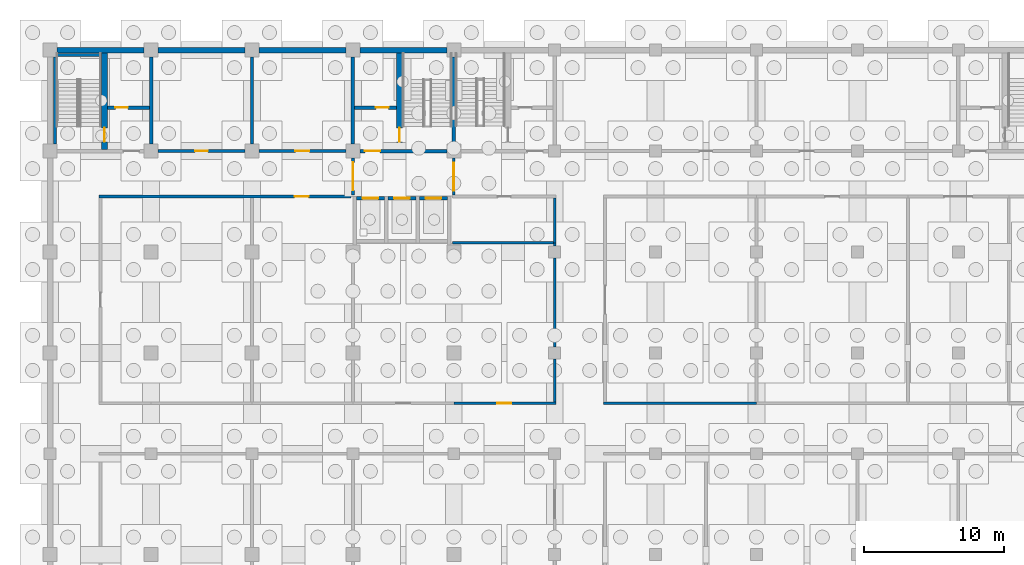
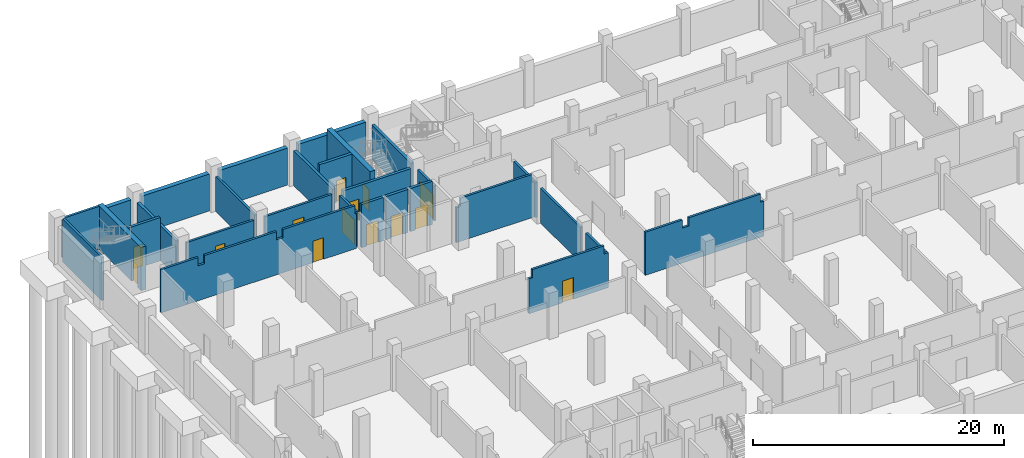
# One storey, part 10 of 19: 30 walls, 14 doors, 14 openings.
"""IFC4 building model written with IfcOpenShell, lengths in metres."""

from ifc_helpers import new_model, si_unit, direction, frame, frame_2d, origin, place, context, subcontext, project, spatial, polyline, rectangle, outline, extrude, material, layer, layer_set, type_object, element, fill, save


model = new_model("IFC4")

# Units and contexts
model_context = context("Model", 3, precision=1e-05, world=origin(), true_north=direction((0.0, 1.0)))
body_context = subcontext(model_context, "Body", "Model", "MODEL_VIEW")
ifc_project = project(units=[si_unit("LENGTHUNIT", "METRE"), si_unit("AREAUNIT", "SQUARE_METRE"), si_unit("VOLUMEUNIT", "CUBIC_METRE"), si_unit("PLANEANGLEUNIT", "RADIAN"), si_unit("MASSUNIT", "GRAM", prefix="KILO")], contexts=[model_context])

# Site, building, storey
site_placement = place(None, origin())
site = spatial("IfcSite", under=ifc_project, at=site_placement, CompositionType="ELEMENT")
building_placement = place(site_placement, origin())
building = spatial("IfcBuilding", under=site, at=building_placement, Name="Silangan Lancet Faculty of Sciences", CompositionType="ELEMENT")
storey_placement = place(building_placement, frame((0.0, 0.0, -4.5)))
storey = spatial("IfcBuildingStorey", under=building, at=storey_placement, Name="B1", CompositionType="ELEMENT", Elevation=-4.5)

# Wall, opening, door
ifc_material_1 = material(Name="Hollow block masonry fm 7 MPa", Category="masonry")
ifc_layer_1 = layer(ifc_material_1, 0.199951171875)
ifc_layer_set_1 = layer_set([ifc_layer_1], Name="Hollow block masonry fm 7 MPa")
wall_type_1 = type_object("IfcWallType", Name="Interior wall PW1 Corridor wall CHB 200", PredefinedType="PARTITIONING", material=ifc_layer_set_1)
wall_1_placement = place(storey_placement, frame((28.800048828125, 32.39990234375, 0.0), z_axis=(0.0, 0.0, 1.0), x_axis=(1.0, 0.0, 0.0)))
wall_1 = element("IfcWall", 1, at=wall_1_placement, inside=storey, type_object=wall_type_1, Name="Corridor wall CHB 200", PredefinedType="PARTITIONING", context=body_context, shape_type="SweptSolid", body=[
    extrude(outline(polyline([(0.0, 0.0), (7.300048828125, 0.0), (7.300048828125, 3.39990234375), (6.89990234375, 3.39990234375), (6.89990234375, 4.199951171875), (0.300048828125, 4.199951171875), (0.300048828125, 3.39990234375), (0.0, 3.39990234375), (0.0, 0.0)])), frame((0.0, 0.10009765625, 0.0), z_axis=(0.0, -1.0, 0.0), x_axis=(1.0, 0.0, 0.0)), (0.0, 0.0, 1.0), 0.199951171875),
])
opening_1_placement = place(wall_1_placement, frame((3.10009765625, 0.0, 0.0)))
opening_1 = element("IfcOpeningElement", 2, at=opening_1_placement, cuts=wall_1, Name="Opening B1-025", PredefinedType="OPENING", context=body_context, shape_type="SweptSolid", body=[
    extrude(rectangle(XDim=1.0, YDim=2.10009765625, at=frame_2d((0.5, 1.050048828125))), frame((0.0, 0.10986328125, 0.0), z_axis=(0.0, -1.0, 0.0), x_axis=(1.0, 0.0, 0.0)), (0.0, 0.0, 1.0), 0.219970703125),
])
ifc_material_2 = material(Name="Steel fire door set", Category="steel")
door_type_1 = type_object("IfcDoorType", Name="Door D1 Single leaf fire door 1000 x 2100", OperationType="SINGLE_SWING_LEFT", PredefinedType="DOOR", material=ifc_material_2)
door_1_placement = place(opening_1_placement, origin())
door_1 = element("IfcDoor", 3, at=door_1_placement, inside=storey, type_object=door_type_1, Name="Single leaf fire door 1000 x 2100", OperationType="SINGLE_SWING_LEFT", OverallHeight=2.10009765625, OverallWidth=1.0, PredefinedType="DOOR", context=body_context, shape_type="SweptSolid", body=[
    extrude(rectangle(XDim=1.0, YDim=2.10009765625, at=frame_2d((0.5, 1.050048828125))), frame((0.0, 0.02490234375, 0.0), z_axis=(0.0, -1.0, 0.0), x_axis=(1.0, 0.0, 0.0)), (0.0, 0.0, 1.0), 0.050048828125),
])
fill(opening_1, door_1)

wall_2_placement = place(storey_placement, frame((3.5, 47.14990234375, 0.0), z_axis=(0.0, 0.0, 1.0), x_axis=(1.0, 0.0, 0.0)))
wall_2 = element("IfcWall", 4, at=wall_2_placement, inside=storey, type_object=wall_type_1, Name="Corridor wall CHB 200", PredefinedType="PARTITIONING", context=body_context, shape_type="SweptSolid", body=[
    extrude(outline(polyline([(0.0, 0.0), (17.97509765625, 0.0), (17.97509765625, 3.39990234375), (17.800048828125, 3.39990234375), (17.800048828125, 4.199951171875), (11.199951171875, 4.199951171875), (11.199951171875, 3.39990234375), (10.60009765625, 3.39990234375), (10.60009765625, 4.199951171875), (4.0, 4.199951171875), (4.0, 3.39990234375), (3.39990234375, 3.39990234375), (3.39990234375, 4.199951171875), (0.0, 4.199951171875), (0.0, 0.0)])), frame((0.0, 0.10009765625, 0.0), z_axis=(0.0, -1.0, 0.0), x_axis=(1.0, 0.0, 0.0)), (0.0, 0.0, 1.0), 0.199951171875),
])
opening_2_placement = place(wall_2_placement, frame((13.9375, 0.0, 0.0)))
opening_2 = element("IfcOpeningElement", 5, at=opening_2_placement, cuts=wall_2, Name="Opening B1-023", PredefinedType="OPENING", context=body_context, shape_type="SweptSolid", body=[
    extrude(rectangle(XDim=1.0, YDim=2.10009765625, at=frame_2d((0.5, 1.050048828125))), frame((0.0, 0.10986328125, 0.0), z_axis=(0.0, -1.0, 0.0), x_axis=(1.0, 0.0, 0.0)), (0.0, 0.0, 1.0), 0.219970703125),
])
door_2_placement = place(opening_2_placement, frame((1.0, 0.0, 0.0), z_axis=(0.0, 0.0, 1.0), x_axis=(-1.0, 0.0, 0.0)))
door_2 = element("IfcDoor", 6, at=door_2_placement, inside=storey, type_object=door_type_1, Name="Single leaf fire door 1000 x 2100", OperationType="SINGLE_SWING_RIGHT", OverallHeight=2.10009765625, OverallWidth=1.0, PredefinedType="DOOR", context=body_context, shape_type="SweptSolid", body=[
    extrude(rectangle(XDim=1.0, YDim=2.10009765625, at=frame_2d((0.5, 1.050048828125))), frame((0.0, 0.025146484375, 0.0), z_axis=(0.0, -1.0, 0.0), x_axis=(1.0, 0.0, 0.0)), (0.0, 0.0, 1.0), 0.050048828125),
])
fill(opening_2, door_2)

wall_3_placement = place(storey_placement, frame((14.89990234375, 50.39990234375, 0.0), z_axis=(0.0, 0.0, 1.0), x_axis=(1.0, 0.0, 0.0)))
wall_3 = element("IfcWall", 7, at=wall_3_placement, inside=storey, type_object=wall_type_1, Name="Corridor wall CHB 200", PredefinedType="PARTITIONING", context=body_context, shape_type="SweptSolid", body=[
    extrude(rectangle(XDim=6.2001953125, YDim=0.199951171875, at=frame_2d((3.10009765625, 0.0))), origin(), (0.0, 0.0, 1.0), 3.39990234375),
])
opening_3_placement = place(wall_3_placement, frame((2.60009765625, 0.0, 0.0)))
opening_3 = element("IfcOpeningElement", 8, at=opening_3_placement, cuts=wall_3, Name="Opening B1-040", PredefinedType="OPENING", context=body_context, shape_type="SweptSolid", body=[
    extrude(rectangle(XDim=1.0, YDim=2.10009765625, at=frame_2d((0.5, 1.050048828125))), frame((0.0, 0.10986328125, 0.0), z_axis=(0.0, -1.0, 0.0), x_axis=(1.0, 0.0, 0.0)), (0.0, 0.0, 1.0), 0.219970703125),
])
door_3_placement = place(opening_3_placement, origin())
door_3 = element("IfcDoor", 9, at=door_3_placement, inside=storey, type_object=door_type_1, Name="Single leaf fire door 1000 x 2100", OperationType="SINGLE_SWING_RIGHT", OverallHeight=2.10009765625, OverallWidth=1.0, PredefinedType="DOOR", context=body_context, shape_type="SweptSolid", body=[
    extrude(rectangle(XDim=1.0, YDim=2.10009765625, at=frame_2d((0.5, 1.050048828125))), frame((0.0, 0.02490234375, 0.0), z_axis=(0.0, -1.0, 0.0), x_axis=(1.0, 0.0, 0.0)), (0.0, 0.0, 1.0), 0.050048828125),
])
fill(opening_3, door_3)

# Walls
wall_4_placement = place(storey_placement, frame((36.0, 32.5, 0.0), z_axis=(0.0, 0.0, 1.0), x_axis=(0.0, 1.0, 0.0)))
element("IfcWall", 10, at=wall_4_placement, inside=storey, type_object=wall_type_1, Name="Corridor wall CHB 200", PredefinedType="PARTITIONING", context=body_context, shape_type="SweptSolid", body=[
    extrude(rectangle(XDim=3.074951171875, YDim=0.199951171875, at=frame_2d((1.53759765625, 0.0))), origin(), (0.0, 0.0, 1.0), 3.39990234375),
])
wall_5_placement = place(storey_placement, frame((36.0, 36.425048828125, 0.0), z_axis=(0.0, 0.0, 1.0), x_axis=(0.0, 1.0, 0.0)))
element("IfcWall", 11, at=wall_5_placement, inside=storey, type_object=wall_type_1, Name="Corridor wall CHB 200", PredefinedType="PARTITIONING", context=body_context, shape_type="SweptSolid", body=[
    extrude(rectangle(XDim=6.349853515625, YDim=0.199951171875, at=frame_2d((3.1748046875, 0.0))), origin(), (0.0, 0.0, 1.0), 3.39990234375),
])
wall_6_placement = place(storey_placement, frame((36.0, 43.625, 0.0), z_axis=(0.0, 0.0, 1.0), x_axis=(0.0, 1.0, 0.0)))
element("IfcWall", 12, at=wall_6_placement, inside=storey, type_object=wall_type_1, Name="Corridor wall CHB 200", PredefinedType="PARTITIONING", context=body_context, shape_type="SweptSolid", body=[
    extrude(rectangle(XDim=0.22509765625, YDim=0.199951171875, at=frame_2d((0.112548828125, 0.0))), origin(), (0.0, 0.0, 1.0), 3.39990234375),
])
ifc_material_3 = material(Name="Concrete C35/45", Category="concrete")
ifc_layer_2 = layer(ifc_material_3, 0.199951171875)
ifc_layer_set_2 = layer_set([ifc_layer_2], Name="Concrete C35/45")
wall_type_2 = type_object("IfcWallType", Name="Interior wall PW5 Riser wall RC 200", PredefinedType="SOLIDWALL", material=ifc_layer_set_2)
wall_7_placement = place(storey_placement, frame((28.72509765625, 43.85009765625, 0.0), z_axis=(0.0, 0.0, 1.0), x_axis=(1.0, 0.0, 0.0)))
element("IfcWall", 13, at=wall_7_placement, inside=storey, type_object=wall_type_2, Name="Riser wall RC 200", PredefinedType="SOLIDWALL", context=body_context, shape_type="SweptSolid", body=[
    extrude(outline(polyline([(0.0, 0.0), (7.1748046875, 0.0), (7.1748046875, 3.39990234375), (6.974853515625, 3.39990234375), (6.974853515625, 4.199951171875), (0.375, 4.199951171875), (0.375, 3.39990234375), (0.0, 3.39990234375), (0.0, 0.0)])), frame((0.0, 0.10009765625, 0.0), z_axis=(0.0, -1.0, 0.0), x_axis=(1.0, 0.0, 0.0)), (0.0, 0.0, 1.0), 0.199951171875),
])

# Wall, opening, door
wall_8_placement = place(storey_placement, frame((7.699951171875, 50.39990234375, 0.0), z_axis=(0.0, 0.0, 1.0), x_axis=(1.0, 0.0, 0.0)))
wall_8 = element("IfcWall", 14, at=wall_8_placement, inside=storey, type_object=wall_type_2, Name="Riser wall RC 200", PredefinedType="SOLIDWALL", context=body_context, shape_type="SweptSolid", body=[
    extrude(rectangle(XDim=6.199951171875, YDim=0.199951171875, at=frame_2d((3.10009765625, 0.0))), origin(), (0.0, 0.0, 1.0), 3.39990234375),
])
opening_4_placement = place(wall_8_placement, frame((2.64990234375, 0.0, 0.0)))
opening_4 = element("IfcOpeningElement", 15, at=opening_4_placement, cuts=wall_8, Name="Opening B1-039", PredefinedType="OPENING", context=body_context, shape_type="SweptSolid", body=[
    extrude(rectangle(XDim=0.89990234375, YDim=2.10009765625, at=frame_2d((0.449951171875, 1.050048828125))), frame((0.0, 0.10986328125, 0.0), z_axis=(0.0, -1.0, 0.0), x_axis=(1.0, 0.0, 0.0)), (0.0, 0.0, 1.0), 0.219970703125),
])
ifc_material_4 = material(Name="Steel fire door set", Category="steel")
door_type_2 = type_object("IfcDoorType", Name="Door D9 Riser access door 900 x 2100", OperationType="SINGLE_SWING_LEFT", PredefinedType="DOOR", material=ifc_material_4)
door_4_placement = place(opening_4_placement, origin())
door_4 = element("IfcDoor", 16, at=door_4_placement, inside=storey, type_object=door_type_2, Name="Riser access door 900 x 2100", OperationType="SINGLE_SWING_LEFT", OverallHeight=2.10009765625, OverallWidth=0.89990234375, PredefinedType="DOOR", context=body_context, shape_type="SweptSolid", body=[
    extrude(rectangle(XDim=0.89990234375, YDim=2.10009765625, at=frame_2d((0.449951171875, 1.050048828125))), frame((0.0, 0.02490234375, 0.0), z_axis=(0.0, -1.0, 0.0), x_axis=(1.0, 0.0, 0.0)), (0.0, 0.0, 1.0), 0.050048828125),
])
fill(opening_4, door_4)

# Walls
wall_9_placement = place(storey_placement, frame((14.39990234375, 50.89990234375, 0.0), z_axis=(0.0, 0.0, 1.0), x_axis=(0.0, 1.0, 0.0)))
element("IfcWall", 17, at=wall_9_placement, inside=storey, type_object=wall_type_2, Name="Riser wall RC 200", PredefinedType="SOLIDWALL", context=body_context, shape_type="SweptSolid", body=[
    extrude(rectangle(XDim=6.2001953125, YDim=0.199951171875, at=frame_2d((3.10009765625, 0.0))), origin(), (0.0, 0.0, 1.0), 3.39990234375),
])
wall_10_placement = place(storey_placement, frame((36.0, 43.85009765625, 0.0), z_axis=(0.0, 0.0, 1.0), x_axis=(0.0, 1.0, 0.0)))
element("IfcWall", 18, at=wall_10_placement, inside=storey, type_object=wall_type_2, Name="Riser wall RC 200", PredefinedType="SOLIDWALL", context=body_context, shape_type="SweptSolid", body=[
    extrude(rectangle(XDim=3.199951171875, YDim=0.199951171875, at=frame_2d((1.60009765625, 0.0))), origin(), (0.0, 0.0, 1.0), 3.39990234375),
])
ifc_material_5 = material(Name="Hollow block masonry fm 7 MPa", Category="masonry")
ifc_layer_3 = layer(ifc_material_5, 0.199951171875)
ifc_layer_set_3 = layer_set([ifc_layer_3], Name="Hollow block masonry fm 7 MPa")
wall_type_3 = type_object("IfcWallType", Name="Interior wall PW6 Plant room wall CHB 200", PredefinedType="PARTITIONING", material=ifc_layer_set_3)
wall_11_placement = place(storey_placement, frame((39.5, 32.39990234375, 0.0), z_axis=(0.0, 0.0, 1.0), x_axis=(1.0, 0.0, 0.0)))
element("IfcWall", 19, at=wall_11_placement, inside=storey, type_object=wall_type_3, Name="Plant room wall CHB 200", PredefinedType="PARTITIONING", context=body_context, shape_type="SweptSolid", body=[
    extrude(outline(polyline([(0.0, 0.0), (10.89990234375, 0.0), (10.89990234375, 3.39990234375), (10.60009765625, 3.39990234375), (10.60009765625, 4.199951171875), (4.0, 4.199951171875), (4.0, 3.39990234375), (3.39990234375, 3.39990234375), (3.39990234375, 4.199951171875), (0.0, 4.199951171875), (0.0, 0.0)])), frame((0.0, 0.10009765625, 0.0), z_axis=(0.0, -1.0, 0.0), x_axis=(1.0, 0.0, 0.0)), (0.0, 0.0, 1.0), 0.199951171875),
])

# Wall, opening, door
ifc_material_6 = material(Name="Hollow block masonry fm 7 MPa", Category="masonry")
ifc_layer_4 = layer(ifc_material_6, 0.199951171875)
ifc_layer_set_4 = layer_set([ifc_layer_4], Name="Hollow block masonry fm 7 MPa")
wall_type_4 = type_object("IfcWallType", Name="Interior wall PW9 Lift lobby wall CHB 200", PredefinedType="PARTITIONING", material=ifc_layer_set_4)
wall_12_placement = place(storey_placement, frame((21.60009765625, 47.27490234375, 0.0), z_axis=(0.0, 0.0, 1.0), x_axis=(0.0, 1.0, 0.0)))
wall_12 = element("IfcWall", 20, at=wall_12_placement, inside=storey, type_object=wall_type_4, Name="Lift lobby wall CHB 200", PredefinedType="PARTITIONING", context=body_context, shape_type="SweptSolid", body=[
    extrude(rectangle(XDim=2.625, YDim=0.199951171875, at=frame_2d((1.3125, 0.0))), origin(), (0.0, 0.0, 1.0), 3.39990234375),
])
opening_5_placement = place(wall_12_placement, frame((0.3125, 0.0, 0.0)))
opening_5 = element("IfcOpeningElement", 21, at=opening_5_placement, cuts=wall_12, Name="Opening B1-004", PredefinedType="OPENING", context=body_context, shape_type="SweptSolid", body=[
    extrude(rectangle(XDim=2.0, YDim=2.39990234375, at=frame_2d((1.0, 1.199951171875))), frame((0.0, 0.10986328125, 0.0), z_axis=(0.0, -1.0, 0.0), x_axis=(1.0, 0.0, 0.0)), (0.0, 0.0, 1.0), 0.219970703125),
])
ifc_material_7 = material(Name="Steel fire door set", Category="steel")
door_type_3 = type_object("IfcDoorType", Name="Door D5 Lift lobby double fire door 2000 x 2400", OperationType="DOUBLE_DOOR_SINGLE_SWING", PredefinedType="DOOR", material=ifc_material_7)
door_5_placement = place(opening_5_placement, origin())
door_5 = element("IfcDoor", 22, at=door_5_placement, inside=storey, type_object=door_type_3, Name="Lift lobby double fire door 2000 x 2400", OperationType="DOUBLE_DOOR_SINGLE_SWING", OverallHeight=2.39990234375, OverallWidth=2.0, PredefinedType="DOOR", context=body_context, shape_type="SweptSolid", body=[
    extrude(rectangle(XDim=2.0, YDim=2.39990234375, at=frame_2d((1.0, 1.199951171875))), frame((0.0, 0.02490234375, 0.0), z_axis=(0.0, -1.0, 0.0), x_axis=(1.0, 0.0, 0.0)), (0.0, 0.0, 1.0), 0.050048828125),
])
fill(opening_5, door_5)

wall_13_placement = place(storey_placement, frame((28.800048828125, 47.25, 0.0), z_axis=(0.0, 0.0, 1.0), x_axis=(0.0, 1.0, 0.0)))
wall_13 = element("IfcWall", 23, at=wall_13_placement, inside=storey, type_object=wall_type_4, Name="Lift lobby wall CHB 200", PredefinedType="PARTITIONING", context=body_context, shape_type="SweptSolid", body=[
    extrude(rectangle(XDim=2.64990234375, YDim=0.199951171875, at=frame_2d((1.324951171875, 0.0))), origin(), (0.0, 0.0, 1.0), 3.39990234375),
])
opening_6_placement = place(wall_13_placement, frame((0.324951171875, 0.0, 0.0)))
opening_6 = element("IfcOpeningElement", 24, at=opening_6_placement, cuts=wall_13, Name="Opening B1-005", PredefinedType="OPENING", context=body_context, shape_type="SweptSolid", body=[
    extrude(rectangle(XDim=2.0, YDim=2.39990234375, at=frame_2d((1.0, 1.199951171875))), frame((0.0, 0.10986328125, 0.0), z_axis=(0.0, -1.0, 0.0), x_axis=(1.0, 0.0, 0.0)), (0.0, 0.0, 1.0), 0.219970703125),
])
door_6_placement = place(opening_6_placement, origin())
door_6 = element("IfcDoor", 25, at=door_6_placement, inside=storey, type_object=door_type_3, Name="Lift lobby double fire door 2000 x 2400", OperationType="DOUBLE_DOOR_SINGLE_SWING", OverallHeight=2.39990234375, OverallWidth=2.0, PredefinedType="DOOR", context=body_context, shape_type="SweptSolid", body=[
    extrude(rectangle(XDim=2.0, YDim=2.39990234375, at=frame_2d((1.0, 1.199951171875))), frame((0.0, 0.02490234375, 0.0), z_axis=(0.0, -1.0, 0.0), x_axis=(1.0, 0.0, 0.0)), (0.0, 0.0, 1.0), 0.050048828125),
])
fill(opening_6, door_6)

ifc_material_8 = material(Name="Concrete C40/50", Category="concrete")
ifc_layer_5 = layer(ifc_material_8, 0.25)
ifc_layer_set_5 = layer_set([ifc_layer_5], Name="Concrete C40/50")
wall_type_5 = type_object("IfcWallType", Name="LIFT SHAFT WALL RC 250", PredefinedType="SHEAR", material=ifc_layer_set_5)
wall_14_placement = place(storey_placement, frame((21.85009765625, 47.02490234375, 0.0), z_axis=(0.0, 0.0, 1.0), x_axis=(1.0, 0.0, 0.0)))
wall_14 = element("IfcWall", 26, at=wall_14_placement, inside=storey, type_object=wall_type_5, Name="WALL-B1-NT-L1-F", PredefinedType="SHEAR", context=body_context, shape_type="SweptSolid", body=[
    extrude(rectangle(XDim=2.0, YDim=0.25, at=frame_2d((1.0, 0.0))), origin(), (0.0, 0.0, 1.0), 4.199951171875),
])
opening_7_placement = place(wall_14_placement, frame((0.449951171875, 0.0, 0.0)))
opening_7 = element("IfcOpeningElement", 27, at=opening_7_placement, cuts=wall_14, Name="Opening B1-804", PredefinedType="OPENING", context=body_context, shape_type="SweptSolid", body=[
    extrude(rectangle(XDim=1.10009765625, YDim=2.10009765625, at=frame_2d((0.550048828125, 1.050048828125))), frame((0.0, 0.135009765625, 0.0), z_axis=(0.0, -1.0, 0.0), x_axis=(1.0, 0.0, 0.0)), (0.0, 0.0, 1.0), 0.27001953125),
])
ifc_material_9 = material(Name="Stainless steel sliding door", Category="steel")
door_type_4 = type_object("IfcDoorType", Name="LD1 Lift landing door 1100x2100", OperationType="SLIDING_TO_LEFT", PredefinedType="DOOR", material=ifc_material_9)
door_7_placement = place(opening_7_placement, origin())
door_7 = element("IfcDoor", 28, at=door_7_placement, inside=storey, type_object=door_type_4, Name="Landing door NT-L1 B1", OperationType="SLIDING_TO_LEFT", OverallHeight=2.10009765625, OverallWidth=1.10009765625, PredefinedType="DOOR", context=body_context, shape_type="SweptSolid", body=[
    extrude(rectangle(XDim=1.10009765625, YDim=2.10009765625, at=frame_2d((0.550048828125, 1.050048828125))), frame((0.0, 0.02490234375, 0.0), z_axis=(0.0, -1.0, 0.0), x_axis=(1.0, 0.0, 0.0)), (0.0, 0.0, 1.0), 0.050048828125),
])
fill(opening_7, door_7)

wall_15_placement = place(storey_placement, frame((24.10009765625, 47.02490234375, 0.0), z_axis=(0.0, 0.0, 1.0), x_axis=(1.0, 0.0, 0.0)))
wall_15 = element("IfcWall", 29, at=wall_15_placement, inside=storey, type_object=wall_type_5, Name="WALL-B1-NT-L2-F", PredefinedType="SHEAR", context=body_context, shape_type="SweptSolid", body=[
    extrude(rectangle(XDim=2.0, YDim=0.25, at=frame_2d((1.0, 0.0))), origin(), (0.0, 0.0, 1.0), 4.199951171875),
])
opening_8_placement = place(wall_15_placement, frame((0.449951171875, 0.0, 0.0)))
opening_8 = element("IfcOpeningElement", 30, at=opening_8_placement, cuts=wall_15, Name="Opening B1-805", PredefinedType="OPENING", context=body_context, shape_type="SweptSolid", body=[
    extrude(rectangle(XDim=1.10009765625, YDim=2.10009765625, at=frame_2d((0.550048828125, 1.050048828125))), frame((0.0, 0.135009765625, 0.0), z_axis=(0.0, -1.0, 0.0), x_axis=(1.0, 0.0, 0.0)), (0.0, 0.0, 1.0), 0.27001953125),
])
door_8_placement = place(opening_8_placement, origin())
door_8 = element("IfcDoor", 31, at=door_8_placement, inside=storey, type_object=door_type_4, Name="Landing door NT-L2 B1", OperationType="SLIDING_TO_LEFT", OverallHeight=2.10009765625, OverallWidth=1.10009765625, PredefinedType="DOOR", context=body_context, shape_type="SweptSolid", body=[
    extrude(rectangle(XDim=1.10009765625, YDim=2.10009765625, at=frame_2d((0.550048828125, 1.050048828125))), frame((0.0, 0.02490234375, 0.0), z_axis=(0.0, -1.0, 0.0), x_axis=(1.0, 0.0, 0.0)), (0.0, 0.0, 1.0), 0.050048828125),
])
fill(opening_8, door_8)

wall_16_placement = place(storey_placement, frame((26.35009765625, 47.02490234375, 0.0), z_axis=(0.0, 0.0, 1.0), x_axis=(1.0, 0.0, 0.0)))
wall_16 = element("IfcWall", 32, at=wall_16_placement, inside=storey, type_object=wall_type_5, Name="WALL-B1-NT-L3-F", PredefinedType="SHEAR", context=body_context, shape_type="SweptSolid", body=[
    extrude(rectangle(XDim=2.0, YDim=0.25, at=frame_2d((1.0, 0.0))), origin(), (0.0, 0.0, 1.0), 4.199951171875),
])
opening_9_placement = place(wall_16_placement, frame((0.449951171875, 0.0, 0.0)))
opening_9 = element("IfcOpeningElement", 33, at=opening_9_placement, cuts=wall_16, Name="Opening B1-806", PredefinedType="OPENING", context=body_context, shape_type="SweptSolid", body=[
    extrude(rectangle(XDim=1.10009765625, YDim=2.10009765625, at=frame_2d((0.550048828125, 1.050048828125))), frame((0.0, 0.135009765625, 0.0), z_axis=(0.0, -1.0, 0.0), x_axis=(1.0, 0.0, 0.0)), (0.0, 0.0, 1.0), 0.27001953125),
])
door_9_placement = place(opening_9_placement, origin())
door_9 = element("IfcDoor", 34, at=door_9_placement, inside=storey, type_object=door_type_4, Name="Landing door NT-L3 B1", OperationType="SLIDING_TO_LEFT", OverallHeight=2.10009765625, OverallWidth=1.10009765625, PredefinedType="DOOR", context=body_context, shape_type="SweptSolid", body=[
    extrude(rectangle(XDim=1.10009765625, YDim=2.10009765625, at=frame_2d((0.550048828125, 1.050048828125))), frame((0.0, 0.02490234375, 0.0), z_axis=(0.0, -1.0, 0.0), x_axis=(1.0, 0.0, 0.0)), (0.0, 0.0, 1.0), 0.050048828125),
])
fill(opening_9, door_9)

# Walls
ifc_material_10 = material(Name="Concrete C35/45", Category="concrete")
ifc_layer_6 = layer(ifc_material_10, 0.39990234375)
ifc_layer_set_6 = layer_set([ifc_layer_6], Name="Concrete C35/45")
wall_type_6 = type_object("IfcWallType", Name="RW1 Basement retaining wall", PredefinedType="SOLIDWALL", material=ifc_layer_set_6)
wall_17_placement = place(storey_placement, frame((28.300048828125, 57.60009765625, 0.0), z_axis=(0.0, 0.0, 1.0), x_axis=(-1.0, 0.0, 0.0)))
element("IfcWall", 35, at=wall_17_placement, inside=storey, type_object=wall_type_6, Name="RW-B1-N-08", PredefinedType="SOLIDWALL", context=body_context, shape_type="SweptSolid", body=[
    extrude(rectangle(XDim=6.199951171875, YDim=0.39990234375, at=frame_2d((3.10009765625, 0.0))), origin(), (0.0, 0.0, 1.0), 3.60009765625),
])
wall_18_placement = place(storey_placement, frame((21.10009765625, 57.60009765625, 0.0), z_axis=(0.0, 0.0, 1.0), x_axis=(-1.0, 0.0, 0.0)))
element("IfcWall", 36, at=wall_18_placement, inside=storey, type_object=wall_type_6, Name="RW-B1-N-09", PredefinedType="SOLIDWALL", context=body_context, shape_type="SweptSolid", body=[
    extrude(rectangle(XDim=6.2001953125, YDim=0.39990234375, at=frame_2d((3.10009765625, 0.0))), origin(), (0.0, 0.0, 1.0), 3.60009765625),
])
for number, where, z_axis, x_axis, name in (
    (37, (13.89990234375, 57.60009765625, 0.0), (0.0, 0.0, 1.0), (-1.0, 0.0, 0.0), "RW-B1-N-10"),
    (38, (6.699951171875, 57.60009765625, 0.0), (0.0, 0.0, 1.0), (-1.0, 0.0, 0.0), "RW-B1-N-11"),
):
    element("IfcWall", number, at=place(storey_placement, frame(where, z_axis=z_axis, x_axis=x_axis)), inside=storey, type_object=wall_type_6, Name=name, PredefinedType="SOLIDWALL", context=body_context, shape_type="SweptSolid", body=[
        extrude(rectangle(XDim=6.199951171875, YDim=0.39990234375, at=frame_2d((3.10009765625, 0.0))), origin(), (0.0, 0.0, 1.0), 3.60009765625),
    ])

# Wall, opening, door
ifc_material_11 = material(Name="Concrete C40/50", Category="concrete")
ifc_layer_7 = layer(ifc_material_11, 0.449951171875)
ifc_layer_set_7 = layer_set([ifc_layer_7], Name="Concrete C40/50")
wall_type_7 = type_object("IfcWallType", Name="TURRET CORE WALL RC 450", PredefinedType="SHEAR", material=ifc_layer_set_7)
wall_19_placement = place(storey_placement, frame((3.875, 50.52490234375, 0.0), z_axis=(0.0, 0.0, 1.0), x_axis=(0.0, 1.0, 0.0)))
wall_19 = element("IfcWall", 39, at=wall_19_placement, inside=storey, type_object=wall_type_7, Name="WALL-B1-NT-A-WELL", PredefinedType="SHEAR", context=body_context, shape_type="SweptSolid", body=[
    extrude(rectangle(XDim=6.875, YDim=0.449951171875, at=frame_2d((3.4375, 0.0))), origin(), (0.0, 0.0, 1.0), 4.199951171875),
])
opening_10_placement = place(wall_19_placement, frame((0.52490234375, 0.0, 0.0)))
opening_10 = element("IfcOpeningElement", 40, at=opening_10_placement, cuts=wall_19, Name="Opening B1-713", PredefinedType="OPENING", context=body_context, shape_type="SweptSolid", body=[
    extrude(rectangle(XDim=1.0, YDim=2.10009765625, at=frame_2d((0.5, 1.050048828125))), frame((0.0, 0.23486328125, 0.0), z_axis=(0.0, -1.0, 0.0), x_axis=(1.0, 0.0, 0.0)), (0.0, 0.0, 1.0), 0.469970703125),
])
ifc_material_12 = material(Name="Steel fire door set", Category="steel")
door_type_5 = type_object("IfcDoorType", Name="D71 Stair enclosure door 1000x2100", OperationType="SINGLE_SWING_LEFT", PredefinedType="DOOR", material=ifc_material_12)
door_10_placement = place(opening_10_placement, origin())
door_10 = element("IfcDoor", 41, at=door_10_placement, inside=storey, type_object=door_type_5, Name="Stair enclosure door NT-A B1", OperationType="SINGLE_SWING_LEFT", OverallHeight=2.10009765625, OverallWidth=1.0, PredefinedType="DOOR", context=body_context, shape_type="SweptSolid", body=[
    extrude(rectangle(XDim=1.0, YDim=2.10009765625, at=frame_2d((0.5, 1.050048828125))), frame((0.0, 0.02490234375, 0.0), z_axis=(0.0, -1.0, 0.0), x_axis=(1.0, 0.0, 0.0)), (0.0, 0.0, 1.0), 0.050048828125),
])
fill(opening_10, door_10)

wall_20_placement = place(storey_placement, frame((24.925048828125, 50.52490234375, 0.0), z_axis=(0.0, 0.0, 1.0), x_axis=(0.0, 1.0, 0.0)))
wall_20 = element("IfcWall", 42, at=wall_20_placement, inside=storey, type_object=wall_type_7, Name="WALL-B1-NT-B-WELL", PredefinedType="SHEAR", context=body_context, shape_type="SweptSolid", body=[
    extrude(rectangle(XDim=6.875, YDim=0.449951171875, at=frame_2d((3.4375, 0.0))), origin(), (0.0, 0.0, 1.0), 4.199951171875),
])
opening_11_placement = place(wall_20_placement, frame((0.52490234375, 0.0, 0.0)))
opening_11 = element("IfcOpeningElement", 43, at=opening_11_placement, cuts=wall_20, Name="Opening B1-716", PredefinedType="OPENING", context=body_context, shape_type="SweptSolid", body=[
    extrude(rectangle(XDim=1.0, YDim=2.10009765625, at=frame_2d((0.5, 1.050048828125))), frame((0.0, 0.23486328125, 0.0), z_axis=(0.0, -1.0, 0.0), x_axis=(1.0, 0.0, 0.0)), (0.0, 0.0, 1.0), 0.469970703125),
])
door_11_placement = place(opening_11_placement, frame((1.0, 0.0, 0.0), z_axis=(0.0, 0.0, 1.0), x_axis=(-1.0, 0.0, 0.0)))
door_11 = element("IfcDoor", 44, at=door_11_placement, inside=storey, type_object=door_type_5, Name="Stair enclosure door NT-B B1", OperationType="SINGLE_SWING_RIGHT", OverallHeight=2.10009765625, OverallWidth=1.0, PredefinedType="DOOR", context=body_context, shape_type="SweptSolid", body=[
    extrude(rectangle(XDim=1.0, YDim=2.10009765625, at=frame_2d((0.5, 1.050048828125))), frame((0.0, 0.025146484375, 0.0), z_axis=(0.0, -1.0, 0.0), x_axis=(1.0, 0.0, 0.0)), (0.0, 0.0, 1.0), 0.050048828125),
])
fill(opening_11, door_11)

# Walls
ifc_material_13 = material(Name="Concrete C40/50", Category="concrete")
ifc_layer_8 = layer(ifc_material_13, 0.199951171875)
ifc_layer_set_8 = layer_set([ifc_layer_8], Name="Concrete C40/50")
wall_type_8 = type_object("IfcWallType", Name="TURRET LINING WALL RC 200", PredefinedType="SHEAR", material=ifc_layer_set_8)
wall_21_placement = place(storey_placement, frame((0.35009765625, 50.89990234375, 0.0), z_axis=(0.0, 0.0, 1.0), x_axis=(0.0, 1.0, 0.0)))
element("IfcWall", 45, at=wall_21_placement, inside=storey, type_object=wall_type_8, Name="WALL-B1-NT-A-WL", PredefinedType="SHEAR", context=body_context, shape_type="SweptSolid", body=[
    extrude(rectangle(XDim=6.2001953125, YDim=0.199951171875, at=frame_2d((3.10009765625, 0.0))), origin(), (0.0, 0.0, 1.0), 4.199951171875),
])
wall_22_placement = place(storey_placement, frame((0.5, 57.25, 0.0), z_axis=(0.0, 0.0, 1.0), x_axis=(1.0, 0.0, 0.0)))
element("IfcWall", 46, at=wall_22_placement, inside=storey, type_object=wall_type_8, Name="WALL-B1-NT-A-WLD", PredefinedType="SHEAR", context=body_context, shape_type="SweptSolid", body=[
    extrude(rectangle(XDim=3.14990234375, YDim=0.199951171875, at=frame_2d((1.574951171875, 0.0))), origin(), (0.0, 0.0, 1.0), 4.199951171875),
])
ifc_material_14 = material(Name="Concrete C40/50", Category="concrete")
ifc_layer_9 = layer(ifc_material_14, 0.25)
ifc_layer_set_9 = layer_set([ifc_layer_9], Name="Concrete C40/50")
wall_type_9 = type_object("IfcWallType", Name="TURRET WALL RC 250", PredefinedType="SHEAR", material=ifc_layer_set_9)
for number, where, z_axis, x_axis, name in (
    (47, (28.800048828125, 50.89990234375, 0.0), (0.0, 0.0, 1.0), (0.0, 1.0, 0.0), "WALL-B1-NAB-A-W"),
    (48, (7.199951171875, 50.89990234375, 0.0), (0.0, 0.0, 1.0), (0.0, 1.0, 0.0), "WALL-B1-NT-A-O"),
):
    element("IfcWall", number, at=place(storey_placement, frame(where, z_axis=z_axis, x_axis=x_axis)), inside=storey, type_object=wall_type_9, Name=name, PredefinedType="SHEAR", context=body_context, shape_type="SweptSolid", body=[
        extrude(rectangle(XDim=6.2001953125, YDim=0.25, at=frame_2d((3.10009765625, 0.0))), origin(), (0.0, 0.0, 1.0), 3.39990234375),
    ])

# Wall, opening, door
wall_23_placement = place(storey_placement, frame((4.10009765625, 53.5, 0.0), z_axis=(0.0, 0.0, 1.0), x_axis=(1.0, 0.0, 0.0)))
wall_23 = element("IfcWall", 49, at=wall_23_placement, inside=storey, type_object=wall_type_9, Name="WALL-B1-NT-A-RISER", PredefinedType="SHEAR", context=body_context, shape_type="SweptSolid", body=[
    extrude(rectangle(XDim=2.974853515625, YDim=0.25, at=frame_2d((1.4873046875, 0.0))), origin(), (0.0, 0.0, 1.0), 4.199951171875),
])
opening_12_placement = place(wall_23_placement, frame((0.550048828125, 0.0, 0.0)))
opening_12 = element("IfcOpeningElement", 50, at=opening_12_placement, cuts=wall_23, Name="Opening B1-715", PredefinedType="OPENING", context=body_context, shape_type="SweptSolid", body=[
    extrude(rectangle(XDim=0.89990234375, YDim=2.10009765625, at=frame_2d((0.449951171875, 1.050048828125))), frame((0.0, 0.135009765625, 0.0), z_axis=(0.0, -1.0, 0.0), x_axis=(1.0, 0.0, 0.0)), (0.0, 0.0, 1.0), 0.27001953125),
])
ifc_material_15 = material(Name="Steel fire door set", Category="steel")
door_type_6 = type_object("IfcDoorType", Name="D72 Riser access door 900x2100", OperationType="SINGLE_SWING_LEFT", PredefinedType="DOOR", material=ifc_material_15)
door_12_placement = place(opening_12_placement, origin())
door_12 = element("IfcDoor", 51, at=door_12_placement, inside=storey, type_object=door_type_6, Name="Riser access door NT-A B1", OperationType="SINGLE_SWING_RIGHT", OverallHeight=2.10009765625, OverallWidth=0.89990234375, PredefinedType="DOOR", context=body_context, shape_type="SweptSolid", body=[
    extrude(rectangle(XDim=0.89990234375, YDim=2.10009765625, at=frame_2d((0.449951171875, 1.050048828125))), frame((0.0, 0.02490234375, 0.0), z_axis=(0.0, -1.0, 0.0), x_axis=(1.0, 0.0, 0.0)), (0.0, 0.0, 1.0), 0.050048828125),
])
fill(opening_12, door_12)

wall_24_placement = place(storey_placement, frame((22.10009765625, 50.39990234375, 0.0), z_axis=(0.0, 0.0, 1.0), x_axis=(1.0, 0.0, 0.0)))
wall_24 = element("IfcWall", 52, at=wall_24_placement, inside=storey, type_object=wall_type_9, Name="WALL-B1-NT-B-V", PredefinedType="SHEAR", context=body_context, shape_type="SweptSolid", body=[
    extrude(rectangle(XDim=6.199951171875, YDim=0.25, at=frame_2d((3.10009765625, 0.0))), origin(), (0.0, 0.0, 1.0), 3.39990234375),
])
opening_13_placement = place(wall_24_placement, frame((0.35009765625, 0.0, 0.0)))
opening_13 = element("IfcOpeningElement", 53, at=opening_13_placement, cuts=wall_24, Name="Opening B1-717", PredefinedType="OPENING", context=body_context, shape_type="SweptSolid", body=[
    extrude(rectangle(XDim=1.10009765625, YDim=2.10009765625, at=frame_2d((0.550048828125, 1.050048828125))), frame((0.0, 0.135009765625, 0.0), z_axis=(0.0, -1.0, 0.0), x_axis=(1.0, 0.0, 0.0)), (0.0, 0.0, 1.0), 0.27001953125),
])
ifc_material_16 = material(Name="Steel fire door set", Category="steel")
door_type_7 = type_object("IfcDoorType", Name="D70 Stair vestibule door 1100x2100", OperationType="SINGLE_SWING_LEFT", PredefinedType="DOOR", material=ifc_material_16)
door_13_placement = place(opening_13_placement, origin())
door_13 = element("IfcDoor", 54, at=door_13_placement, inside=storey, type_object=door_type_7, Name="Stair vestibule door NT-B B1", OperationType="SINGLE_SWING_LEFT", OverallHeight=2.10009765625, OverallWidth=1.10009765625, PredefinedType="DOOR", context=body_context, shape_type="SweptSolid", body=[
    extrude(rectangle(XDim=1.10009765625, YDim=2.10009765625, at=frame_2d((0.550048828125, 1.050048828125))), frame((0.0, 0.02490234375, 0.0), z_axis=(0.0, -1.0, 0.0), x_axis=(1.0, 0.0, 0.0)), (0.0, 0.0, 1.0), 0.050048828125),
])
fill(opening_13, door_13)

# Wall
wall_25_placement = place(storey_placement, frame((21.60009765625, 50.89990234375, 0.0), z_axis=(0.0, 0.0, 1.0), x_axis=(0.0, 1.0, 0.0)))
element("IfcWall", 55, at=wall_25_placement, inside=storey, type_object=wall_type_9, Name="WALL-B1-NT-B-O", PredefinedType="SHEAR", context=body_context, shape_type="SweptSolid", body=[
    extrude(rectangle(XDim=6.2001953125, YDim=0.25, at=frame_2d((3.10009765625, 0.0))), origin(), (0.0, 0.0, 1.0), 3.39990234375),
])

# Wall, opening, door
wall_26_placement = place(storey_placement, frame((21.72509765625, 53.5, 0.0), z_axis=(0.0, 0.0, 1.0), x_axis=(1.0, 0.0, 0.0)))
wall_26 = element("IfcWall", 56, at=wall_26_placement, inside=storey, type_object=wall_type_9, Name="WALL-B1-NT-B-RISER", PredefinedType="SHEAR", context=body_context, shape_type="SweptSolid", body=[
    extrude(rectangle(XDim=2.974853515625, YDim=0.25, at=frame_2d((1.4873046875, 0.0))), origin(), (0.0, 0.0, 1.0), 4.199951171875),
])
opening_14_placement = place(wall_26_placement, frame((1.52490234375, 0.0, 0.0)))
opening_14 = element("IfcOpeningElement", 57, at=opening_14_placement, cuts=wall_26, Name="Opening B1-718", PredefinedType="OPENING", context=body_context, shape_type="SweptSolid", body=[
    extrude(rectangle(XDim=0.89990234375, YDim=2.10009765625, at=frame_2d((0.449951171875, 1.050048828125))), frame((0.0, 0.135009765625, 0.0), z_axis=(0.0, -1.0, 0.0), x_axis=(1.0, 0.0, 0.0)), (0.0, 0.0, 1.0), 0.27001953125),
])
door_14_placement = place(opening_14_placement, origin())
door_14 = element("IfcDoor", 58, at=door_14_placement, inside=storey, type_object=door_type_6, Name="Riser access door NT-B B1", OperationType="SINGLE_SWING_LEFT", OverallHeight=2.10009765625, OverallWidth=0.89990234375, PredefinedType="DOOR", context=body_context, shape_type="SweptSolid", body=[
    extrude(rectangle(XDim=0.89990234375, YDim=2.10009765625, at=frame_2d((0.449951171875, 1.050048828125))), frame((0.0, 0.02490234375, 0.0), z_axis=(0.0, -1.0, 0.0), x_axis=(1.0, 0.0, 0.0)), (0.0, 0.0, 1.0), 0.050048828125),
])
fill(opening_14, door_14)

save(model, "model.ifc")
